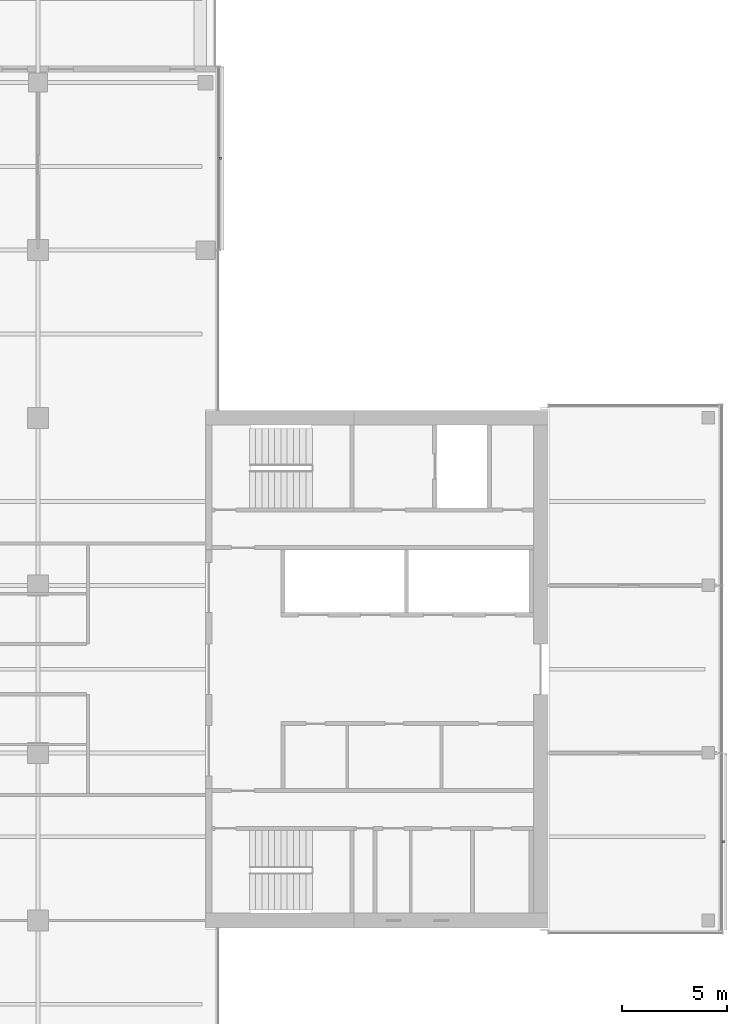
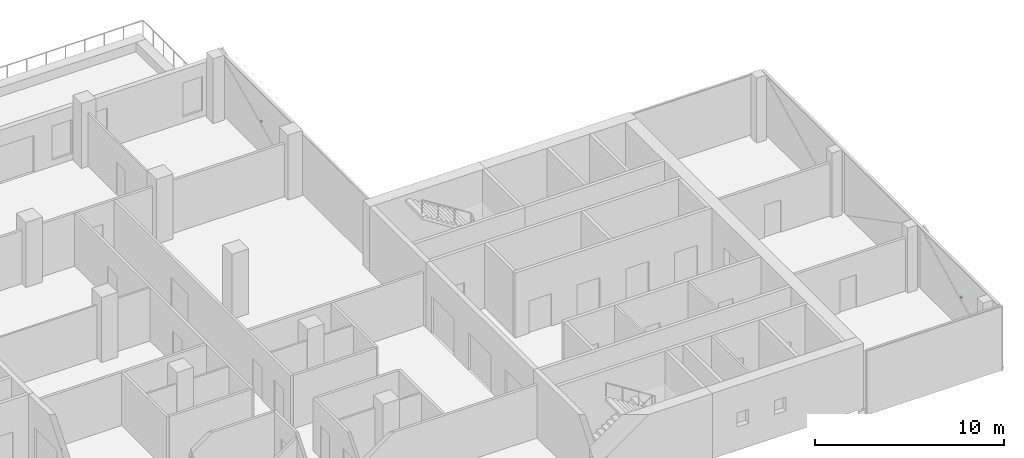
# One storey, part 23 of 24: 2 discrete accessories.
"""IFC4 building model written with IfcOpenShell, lengths in metres."""

from ifc_helpers import new_model, si_unit, direction, frame, origin, origin_2d, place, context, subcontext, project, spatial, rectangle, extrude, material, type_object, element, save


model = new_model("IFC4")

# Units and contexts
model_context = context("Model", 3, precision=1e-05, world=origin(), true_north=direction((0.0, 1.0)))
body_context = subcontext(model_context, "Body", "Model", "MODEL_VIEW")
ifc_project = project(units=[si_unit("LENGTHUNIT", "METRE"), si_unit("AREAUNIT", "SQUARE_METRE"), si_unit("VOLUMEUNIT", "CUBIC_METRE"), si_unit("PLANEANGLEUNIT", "RADIAN"), si_unit("MASSUNIT", "GRAM", prefix="KILO")], contexts=[model_context])

# Site, building, storey
site_placement = place(None, origin())
site = spatial("IfcSite", under=ifc_project, at=site_placement, CompositionType="ELEMENT")
building_placement = place(site_placement, origin())
building = spatial("IfcBuilding", under=site, at=building_placement, Name="Crosswind Convention Tower", CompositionType="ELEMENT")
storey_placement = place(building_placement, frame((0.0, 0.0, 112.699951171875)))
storey = spatial("IfcBuildingStorey", under=building, at=storey_placement, Name="L22", CompositionType="ELEMENT", Elevation=112.699951171875)

# Discrete accessories
ifc_material = material(Name="Stainless steel", Category="steel")
discrete_accessory_type = type_object("IfcDiscreteAccessoryType", Name="BAGUETTE BRACKET BK3", PredefinedType="BRACKET", material=ifc_material)
for number, where, z_axis, x_axis, name in (
    (1, (161.72607421875, 91.767578125, 1.705078125), (0.0, 0.0, 1.0), (0.0, 1.0, 0.0), "BK3 baguette bracket"),
    (2, (137.72607421875, 124.382568359375, 1.705078125), (0.0, 0.0, 1.0), (0.0, 1.0, 0.0), "BK3 baguette bracket"),
):
    element("IfcDiscreteAccessory", number, at=place(storey_placement, frame(where, z_axis=z_axis, x_axis=x_axis)), inside=storey, type_object=discrete_accessory_type, Name=name, PredefinedType="BRACKET", context=body_context, shape_type="SweptSolid", body=[
        extrude(rectangle(XDim=0.1201171875, YDim=0.10009765625, at=origin_2d()), origin(), (0.0, 0.0, 1.0), 0.1201171875),
    ])

save(model, "model.ifc")
